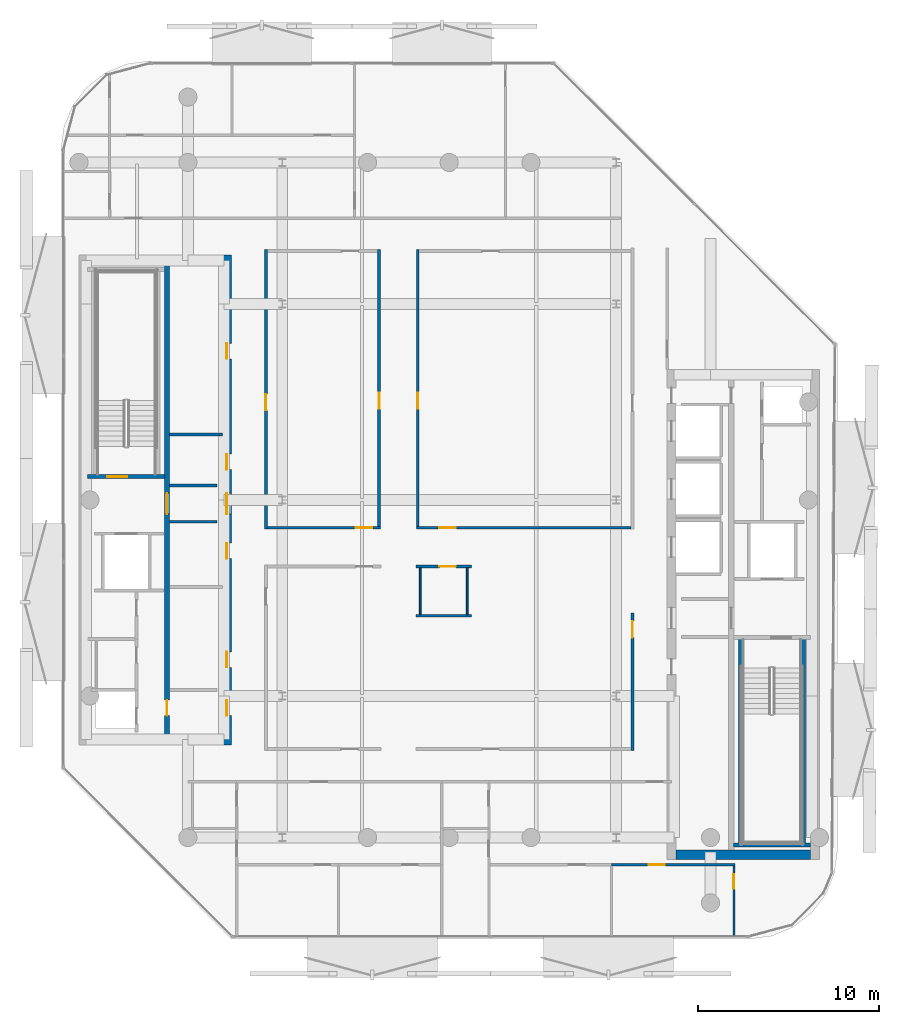
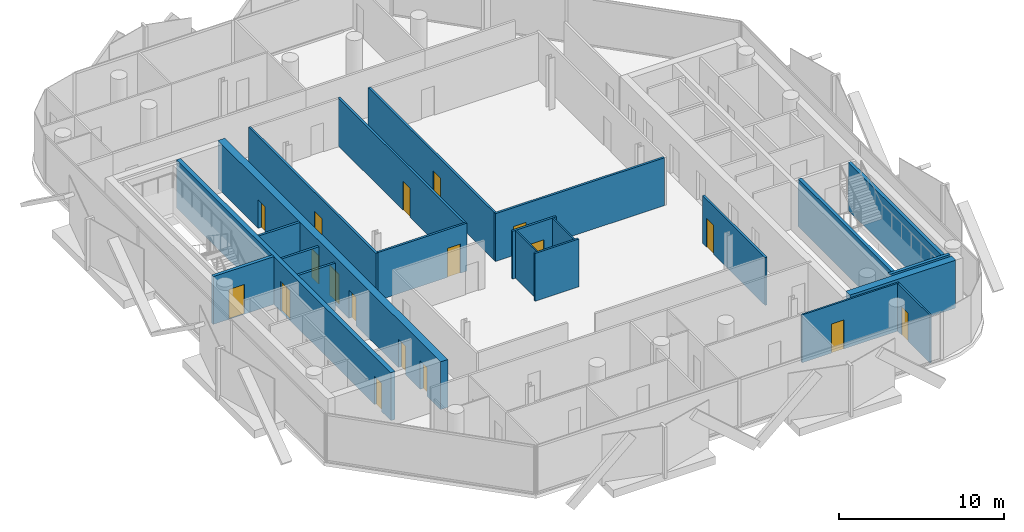
# One storey, part 5 of 16: 22 walls, 18 doors, 18 openings.
"""IFC4 building model written with IfcOpenShell, lengths in metres."""

from ifc_helpers import new_model, si_unit, direction, frame, frame_2d, origin, place, context, subcontext, project, spatial, rectangle, extrude, material, layer, layer_set, type_object, element, fill, save


model = new_model("IFC4")

# Units and contexts
model_context = context("Model", 3, precision=1e-05, world=origin(), true_north=direction((0.0, 1.0)))
body_context = subcontext(model_context, "Body", "Model", "MODEL_VIEW")
ifc_project = project(units=[si_unit("LENGTHUNIT", "METRE"), si_unit("AREAUNIT", "SQUARE_METRE"), si_unit("VOLUMEUNIT", "CUBIC_METRE"), si_unit("PLANEANGLEUNIT", "RADIAN"), si_unit("MASSUNIT", "GRAM", prefix="KILO")], contexts=[model_context])

# Site, building, storey
site_placement = place(None, origin())
site = spatial("IfcSite", under=ifc_project, at=site_placement, CompositionType="ELEMENT")
building_placement = place(site_placement, origin())
building = spatial("IfcBuilding", under=site, at=building_placement, Name="Khairoan Windgate Tower", CompositionType="ELEMENT")
storey_placement = place(building_placement, frame((0.0, 0.0, 311.800048828125)))
storey = spatial("IfcBuildingStorey", under=building, at=storey_placement, Name="L75", CompositionType="ELEMENT", Elevation=311.800048828125)

# Walls
ifc_material_1 = material(Name="Moisture-Resistant Gypsum Partition", Category="gypsum")
ifc_layer_1 = layer(ifc_material_1, 0.10009765625, Name="Moisture-Resistant Gypsum Partition")
ifc_layer_set_1 = layer_set([ifc_layer_1], Name="Moisture-Resistant Gypsum Partition")
wall_type_1 = type_object("IfcWallType", Name="Bathroom Wet-Area Partition Wall", PredefinedType="PARTITIONING", material=ifc_layer_set_1)
for number, where, z_axis, x_axis, name in (
    (1, (1.0, -3.739990234375, 0.0), (0.0, 0.0, 1.0), (0.0, -1.0, 0.0), "L75 Wet Room Side Wall 065"),
    (2, (-1.590087890625, -6.31005859375, 0.0), (0.0, 0.0, 1.0), (0.0, 1.0, 0.0), "L75 Wet Room Side Wall 066"),
):
    element("IfcWall", number, at=place(storey_placement, frame(where, z_axis=z_axis, x_axis=x_axis)), inside=storey, type_object=wall_type_1, Name=name, PredefinedType="PARTITIONING", context=body_context, shape_type="SweptSolid", body=[
        extrude(rectangle(XDim=2.570068359375, YDim=0.10009765625, at=frame_2d((1.28515625, 0.0))), origin(), (0.0, 0.0, 1.0), 3.5400390625),
    ])
ifc_material_2 = material(Name="Concrete C40/50", Category="concrete")
ifc_layer_2 = layer(ifc_material_2, 0.159912109375, Name="Concrete C40/50")
ifc_layer_set_2 = layer_set([ifc_layer_2], Name="Concrete C40/50")
wall_type_2 = type_object("IfcWallType", Name="Core and Hoistway Enclosure Wall", PredefinedType="STANDARD", material=ifc_layer_set_2)
for number, where, z_axis, x_axis, name in (
    (3, (-15.39990234375, 0.800048828125, 0.0), (0.0, 0.0, 1.0), (1.0, 0.0, 0.0), "L75 Core Shaft Wall SW-WV1-L75"),
    (4, (-15.39990234375, -1.199951171875, 0.0), (0.0, 0.0, 1.0), (1.0, 0.0, 0.0), "L75 Core Shaft Wall SW-WV2-L75"),
):
    element("IfcWall", number, at=place(storey_placement, frame(where, z_axis=z_axis, x_axis=x_axis)), inside=storey, type_object=wall_type_2, Name=name, PredefinedType="STANDARD", context=body_context, shape_type="SweptSolid", body=[
        extrude(rectangle(XDim=2.599853515625, YDim=0.159912109375, at=frame_2d((1.2998046875, 0.0))), origin(), (0.0, 0.0, 1.0), 3.5400390625),
    ])
ifc_material_3 = material(Name="Acoustic Fire-Rated Gypsum Partition", Category="gypsum")
ifc_layer_3 = layer(ifc_material_3, 0.139892578125, Name="Acoustic Fire-Rated Gypsum Partition")
ifc_layer_set_3 = layer_set([ifc_layer_3], Name="Acoustic Fire-Rated Gypsum Partition")
wall_type_3 = type_object("IfcWallType", Name="Inter-Tenancy Compartment Wall", PredefinedType="PARTITIONING", material=ifc_layer_set_3)
wall_1_placement = place(storey_placement, frame((-1.830078125, -6.3798828125, 0.0), z_axis=(0.0, 0.0, 1.0), x_axis=(1.0, 0.0, 0.0)))
element("IfcWall", 5, at=wall_1_placement, inside=storey, type_object=wall_type_3, Name="L75 Interior Partition 062", PredefinedType="PARTITIONING", context=body_context, shape_type="SweptSolid", body=[
    extrude(rectangle(XDim=3.070068359375, YDim=0.139892578125, at=frame_2d((1.53515625, 0.0))), origin(), (0.0, 0.0, 1.0), 3.5400390625),
])

# Wall, opening, door
ifc_material_4 = material(Name="Gypsum Stud Partition", Category="gypsum")
ifc_layer_4 = layer(ifc_material_4, 0.1201171875, Name="Gypsum Stud Partition")
ifc_layer_set_4 = layer_set([ifc_layer_4], Name="Gypsum Stud Partition")
wall_type_4 = type_object("IfcWallType", Name="Internal Room Partition Wall", PredefinedType="PARTITIONING", material=ifc_layer_set_4)
wall_2_placement = place(storey_placement, frame((8.93994140625, -20.10009765625, 0.0), z_axis=(0.0, 0.0, 1.0), x_axis=(1.0, 0.0, 0.0)))
wall_2 = element("IfcWall", 6, at=wall_2_placement, inside=storey, type_object=wall_type_4, Name="L75 Interior Partition 059", PredefinedType="PARTITIONING", context=body_context, shape_type="SweptSolid", body=[
    extrude(rectangle(XDim=6.81005859375, YDim=0.1201171875, at=frame_2d((3.405029296875, 0.0))), origin(), (0.0, 0.0, 1.0), 3.5400390625),
])
opening_1_placement = place(wall_2_placement, frame((2.069580078125, 0.0, 0.0)))
opening_1 = element("IfcOpeningElement", 7, at=opening_1_placement, cuts=wall_2, Name="Opening ID-RM", PredefinedType="OPENING", context=body_context, shape_type="SweptSolid", body=[
    extrude(rectangle(XDim=0.860107421875, YDim=2.14990234375, at=frame_2d((0.43017578125, 1.074951171875))), frame((0.0, 0.070068359375, 0.0), z_axis=(0.0, -1.0, 0.0), x_axis=(1.0, 0.0, 0.0)), (0.0, 0.0, 1.0), 0.14013671875),
])
ifc_material_5 = material(Name="Teak Veneer Timber Leaf", Category="wood")
door_type_1 = type_object("IfcDoorType", Name="Internal Bedroom and Office Door ID-RM 860x2150", OperationType="NOTDEFINED", PredefinedType="DOOR", material=ifc_material_5)
door_1_placement = place(opening_1_placement, origin())
door_1 = element("IfcDoor", 8, at=door_1_placement, inside=storey, type_object=door_type_1, Name="L75 L75-46-L75-49 Door", OperationType="SINGLE_SWING_LEFT", OverallHeight=2.14990234375, OverallWidth=0.860107421875, PredefinedType="DOOR", context=body_context, shape_type="SweptSolid", body=[
    extrude(rectangle(XDim=0.860107421875, YDim=2.14990234375, at=frame_2d((0.43017578125, 1.074951171875))), frame((0.0, 0.02490234375, 0.0), z_axis=(0.0, -1.0, 0.0), x_axis=(1.0, 0.0, 0.0)), (0.0, 0.0, 1.0), 0.050048828125),
])
fill(opening_1, door_1)

wall_3_placement = place(storey_placement, frame((15.68994140625, -24.054931640625, 0.0), z_axis=(0.0, 0.0, 1.0), x_axis=(0.0, 1.0, 0.0)))
wall_3 = element("IfcWall", 9, at=wall_3_placement, inside=storey, type_object=wall_type_4, Name="L75 Interior Partition 060", PredefinedType="PARTITIONING", context=body_context, shape_type="SweptSolid", body=[
    extrude(rectangle(XDim=3.89501953125, YDim=0.1201171875, at=frame_2d((1.947509765625, 0.0))), origin(), (0.0, 0.0, 1.0), 3.5400390625),
])
opening_2_placement = place(wall_3_placement, frame((2.635009765625, 0.0, 0.0)))
opening_2 = element("IfcOpeningElement", 10, at=opening_2_placement, cuts=wall_3, Name="Opening ID-BTH", PredefinedType="OPENING", context=body_context, shape_type="SweptSolid", body=[
    extrude(rectangle(XDim=0.800048828125, YDim=2.10009765625, at=frame_2d((0.39990234375, 1.050048828125))), frame((0.0, 0.070068359375, 0.0), z_axis=(0.0, -1.0, 0.0), x_axis=(1.0, 0.0, 0.0)), (0.0, 0.0, 1.0), 0.14013671875),
])
ifc_material_6 = material(Name="Teak Veneer Timber Leaf", Category="wood")
door_type_2 = type_object("IfcDoorType", Name="Internal Bathroom Door ID-BTH 800x2100", OperationType="NOTDEFINED", PredefinedType="DOOR", material=ifc_material_6)
door_2_placement = place(opening_2_placement, origin())
door_2 = element("IfcDoor", 11, at=door_2_placement, inside=storey, type_object=door_type_2, Name="L75 L75-47-L75-49 Door", OperationType="SINGLE_SWING_LEFT", OverallHeight=2.10009765625, OverallWidth=0.800048828125, PredefinedType="DOOR", context=body_context, shape_type="SweptSolid", body=[
    extrude(rectangle(XDim=0.800048828125, YDim=2.10009765625, at=frame_2d((0.39990234375, 1.050048828125))), frame((0.0, 0.02490234375, 0.0), z_axis=(0.0, -1.0, 0.0), x_axis=(1.0, 0.0, 0.0)), (0.0, 0.0, 1.0), 0.050048828125),
])
fill(opening_2, door_2)

# Wall
ifc_material_7 = material(Name="Concrete C40/50", Category="concrete")
ifc_layer_5 = layer(ifc_material_7, 0.159912109375, Name="Concrete C40/50")
ifc_layer_set_5 = layer_set([ifc_layer_5], Name="Concrete C40/50")
wall_type_5 = type_object("IfcWallType", Name="Plant and Refuge Compartment Wall", PredefinedType="PARTITIONING", material=ifc_layer_set_5)
wall_4_placement = place(storey_placement, frame((-15.39990234375, 3.60009765625, 0.0), z_axis=(0.0, 0.0, 1.0), x_axis=(1.0, 0.0, 0.0)))
element("IfcWall", 12, at=wall_4_placement, inside=storey, type_object=wall_type_5, Name="L75 Interior Partition 006", PredefinedType="PARTITIONING", context=body_context, shape_type="SweptSolid", body=[
    extrude(rectangle(XDim=2.89990234375, YDim=0.159912109375, at=frame_2d((1.449951171875, 0.0))), origin(), (0.0, 0.0, 1.0), 3.5400390625),
])

# Wall, opening, door
ifc_material_8 = material(Name="Acoustic Fire-Rated Gypsum Partition", Category="gypsum")
ifc_layer_6 = layer(ifc_material_8, 0.14990234375, Name="Acoustic Fire-Rated Gypsum Partition")
ifc_layer_set_6 = layer_set([ifc_layer_6], Name="Acoustic Fire-Rated Gypsum Partition")
wall_type_6 = type_object("IfcWallType", Name="Rated Corridor Partition Wall", PredefinedType="PARTITIONING", material=ifc_layer_set_6)
wall_5_placement = place(storey_placement, frame((-10.10009765625, -1.610107421875, 0.0), z_axis=(0.0, 0.0, 1.0), x_axis=(0.0, 1.0, 0.0)))
wall_5 = element("IfcWall", 13, at=wall_5_placement, inside=storey, type_object=wall_type_6, Name="L75 Interior Partition 011", PredefinedType="PARTITIONING", context=body_context, shape_type="SweptSolid", body=[
    extrude(rectangle(XDim=15.405029296875, YDim=0.14990234375, at=frame_2d((7.70263671875, 0.0))), origin(), (0.0, 0.0, 1.0), 3.5400390625),
])
opening_3_placement = place(wall_5_placement, frame((6.542724609375, 0.0, 0.0)))
opening_3 = element("IfcOpeningElement", 14, at=opening_3_placement, cuts=wall_5, Name="Opening FD-ENT", PredefinedType="OPENING", context=body_context, shape_type="SweptSolid", body=[
    extrude(rectangle(XDim=0.89990234375, YDim=2.14990234375, at=frame_2d((0.449951171875, 1.074951171875))), frame((0.0, 0.0849609375, 0.0), z_axis=(0.0, -1.0, 0.0), x_axis=(1.0, 0.0, 0.0)), (0.0, 0.0, 1.0), 0.169921875),
])
ifc_material_9 = material(Name="Timber Fire-Rated Core", Category="wood")
door_type_3 = type_object("IfcDoorType", Name="Unit and Office Fire Entrance Door FD-ENT 900x2150", OperationType="NOTDEFINED", PredefinedType="DOOR", material=ifc_material_9)
door_3_placement = place(opening_3_placement, origin())
door_3 = element("IfcDoor", 15, at=door_3_placement, inside=storey, type_object=door_type_3, Name="L75 L75-26-L75-51 Door", OperationType="SINGLE_SWING_LEFT", OverallHeight=2.14990234375, OverallWidth=0.89990234375, PredefinedType="DOOR", context=body_context, shape_type="SweptSolid", body=[
    extrude(rectangle(XDim=0.89990234375, YDim=2.14990234375, at=frame_2d((0.449951171875, 1.074951171875))), frame((0.0, 0.02490234375, 0.0), z_axis=(0.0, -1.0, 0.0), x_axis=(1.0, 0.0, 0.0)), (0.0, 0.0, 1.0), 0.050048828125),
])
fill(opening_3, door_3)

wall_6_placement = place(storey_placement, frame((10.10009765625, -13.794921875, 0.0), z_axis=(0.0, 0.0, 1.0), x_axis=(0.0, 1.0, 0.0)))
wall_6 = element("IfcWall", 16, at=wall_6_placement, inside=storey, type_object=wall_type_6, Name="L75 Interior Partition 015", PredefinedType="PARTITIONING", context=body_context, shape_type="SweptSolid", body=[
    extrude(rectangle(XDim=7.574951171875, YDim=0.14990234375, at=frame_2d((3.78759765625, 0.0))), origin(), (0.0, 0.0, 1.0), 3.5400390625),
])
opening_4_placement = place(wall_6_placement, frame((6.215087890625, 0.0, 0.0)))
opening_4 = element("IfcOpeningElement", 17, at=opening_4_placement, cuts=wall_6, Name="Opening FD-ENT", PredefinedType="OPENING", context=body_context, shape_type="SweptSolid", body=[
    extrude(rectangle(XDim=0.89990234375, YDim=2.14990234375, at=frame_2d((0.449951171875, 1.074951171875))), frame((0.0, 0.0849609375, 0.0), z_axis=(0.0, -1.0, 0.0), x_axis=(1.0, 0.0, 0.0)), (0.0, 0.0, 1.0), 0.169921875),
])
door_4_placement = place(opening_4_placement, origin())
door_4 = element("IfcDoor", 18, at=door_4_placement, inside=storey, type_object=door_type_3, Name="L75 L75-27-L75-55 Door", OperationType="SINGLE_SWING_LEFT", OverallHeight=2.14990234375, OverallWidth=0.89990234375, PredefinedType="DOOR", context=body_context, shape_type="SweptSolid", body=[
    extrude(rectangle(XDim=0.89990234375, YDim=2.14990234375, at=frame_2d((0.449951171875, 1.074951171875))), frame((0.0, 0.02490234375, 0.0), z_axis=(0.0, -1.0, 0.0), x_axis=(1.0, 0.0, 0.0)), (0.0, 0.0, 1.0), 0.050048828125),
])
fill(opening_4, door_4)

wall_7_placement = place(storey_placement, frame((-10.02490234375, -1.534912109375, 0.0), z_axis=(0.0, 0.0, 1.0), x_axis=(1.0, 0.0, 0.0)))
wall_7 = element("IfcWall", 19, at=wall_7_placement, inside=storey, type_object=wall_type_6, Name="L75 Interior Partition 016", PredefinedType="PARTITIONING", context=body_context, shape_type="SweptSolid", body=[
    extrude(rectangle(XDim=6.23486328125, YDim=0.14990234375, at=frame_2d((3.117431640625, 0.0))), origin(), (0.0, 0.0, 1.0), 3.5400390625),
])
opening_5_placement = place(wall_7_placement, frame((4.875, 0.0, 0.0)))
opening_5 = element("IfcOpeningElement", 20, at=opening_5_placement, cuts=wall_7, Name="Opening FD-ENT", PredefinedType="OPENING", context=body_context, shape_type="SweptSolid", body=[
    extrude(rectangle(XDim=0.89990234375, YDim=2.14990234375, at=frame_2d((0.449951171875, 1.074951171875))), frame((0.0, 0.0849609375, 0.0), z_axis=(0.0, -1.0, 0.0), x_axis=(1.0, 0.0, 0.0)), (0.0, 0.0, 1.0), 0.169921875),
])
door_5_placement = place(opening_5_placement, origin())
door_5 = element("IfcDoor", 21, at=door_5_placement, inside=storey, type_object=door_type_3, Name="L75 L75-28-L75-51 Door", OperationType="SINGLE_SWING_RIGHT", OverallHeight=2.14990234375, OverallWidth=0.89990234375, PredefinedType="DOOR", context=body_context, shape_type="SweptSolid", body=[
    extrude(rectangle(XDim=0.89990234375, YDim=2.14990234375, at=frame_2d((0.449951171875, 1.074951171875))), frame((0.0, 0.02490234375, 0.0), z_axis=(0.0, -1.0, 0.0), x_axis=(1.0, 0.0, 0.0)), (0.0, 0.0, 1.0), 0.050048828125),
])
fill(opening_5, door_5)

wall_8_placement = place(storey_placement, frame((-1.81005859375, -1.534912109375, 0.0), z_axis=(0.0, 0.0, 1.0), x_axis=(1.0, 0.0, 0.0)))
wall_8 = element("IfcWall", 22, at=wall_8_placement, inside=storey, type_object=wall_type_6, Name="L75 Interior Partition 018", PredefinedType="PARTITIONING", context=body_context, shape_type="SweptSolid", body=[
    extrude(rectangle(XDim=11.8349609375, YDim=0.14990234375, at=frame_2d((5.91748046875, 0.0))), origin(), (0.0, 0.0, 1.0), 3.5400390625),
])
opening_6_placement = place(wall_8_placement, frame((1.26123046875, 0.0, 0.0)))
opening_6 = element("IfcOpeningElement", 23, at=opening_6_placement, cuts=wall_8, Name="Opening FD-ENT", PredefinedType="OPENING", context=body_context, shape_type="SweptSolid", body=[
    extrude(rectangle(XDim=0.89990234375, YDim=2.14990234375, at=frame_2d((0.449951171875, 1.074951171875))), frame((0.0, 0.0849609375, 0.0), z_axis=(0.0, -1.0, 0.0), x_axis=(1.0, 0.0, 0.0)), (0.0, 0.0, 1.0), 0.169921875),
])
door_6_placement = place(opening_6_placement, origin())
door_6 = element("IfcDoor", 24, at=door_6_placement, inside=storey, type_object=door_type_3, Name="L75 L75-28-L75-53 Door", OperationType="SINGLE_SWING_RIGHT", OverallHeight=2.14990234375, OverallWidth=0.89990234375, PredefinedType="DOOR", context=body_context, shape_type="SweptSolid", body=[
    extrude(rectangle(XDim=0.89990234375, YDim=2.14990234375, at=frame_2d((0.449951171875, 1.074951171875))), frame((0.0, 0.02490234375, 0.0), z_axis=(0.0, -1.0, 0.0), x_axis=(1.0, 0.0, 0.0)), (0.0, 0.0, 1.0), 0.050048828125),
])
fill(opening_6, door_6)

wall_9_placement = place(storey_placement, frame((-1.830078125, -3.6650390625, 0.0), z_axis=(0.0, 0.0, 1.0), x_axis=(1.0, 0.0, 0.0)))
wall_9 = element("IfcWall", 25, at=wall_9_placement, inside=storey, type_object=wall_type_6, Name="L75 Interior Partition 019", PredefinedType="PARTITIONING", context=body_context, shape_type="SweptSolid", body=[
    extrude(rectangle(XDim=3.070068359375, YDim=0.14990234375, at=frame_2d((1.53515625, 0.0))), origin(), (0.0, 0.0, 1.0), 3.5400390625),
])
opening_7_placement = place(wall_9_placement, frame((1.293212890625, 0.0, 0.0)))
opening_7 = element("IfcOpeningElement", 26, at=opening_7_placement, cuts=wall_9, Name="Opening FD-ENT", PredefinedType="OPENING", context=body_context, shape_type="SweptSolid", body=[
    extrude(rectangle(XDim=0.89990234375, YDim=2.14990234375, at=frame_2d((0.449951171875, 1.074951171875))), frame((0.0, 0.0849609375, 0.0), z_axis=(0.0, -1.0, 0.0), x_axis=(1.0, 0.0, 0.0)), (0.0, 0.0, 1.0), 0.169921875),
])
door_7_placement = place(opening_7_placement, origin())
door_7 = element("IfcDoor", 27, at=door_7_placement, inside=storey, type_object=door_type_3, Name="L75 L75-28-L75-54 Door", OperationType="SINGLE_SWING_LEFT", OverallHeight=2.14990234375, OverallWidth=0.89990234375, PredefinedType="DOOR", context=body_context, shape_type="SweptSolid", body=[
    extrude(rectangle(XDim=0.89990234375, YDim=2.14990234375, at=frame_2d((0.449951171875, 1.074951171875))), frame((0.0, 0.02490234375, 0.0), z_axis=(0.0, -1.0, 0.0), x_axis=(1.0, 0.0, 0.0)), (0.0, 0.0, 1.0), 0.050048828125),
])
fill(opening_7, door_7)

wall_10_placement = place(storey_placement, frame((-3.864990234375, -1.4599609375, 0.0), z_axis=(0.0, 0.0, 1.0), x_axis=(0.0, 1.0, 0.0)))
wall_10 = element("IfcWall", 28, at=wall_10_placement, inside=storey, type_object=wall_type_6, Name="L75 Interior Partition 020", PredefinedType="PARTITIONING", context=body_context, shape_type="SweptSolid", body=[
    extrude(rectangle(XDim=15.2548828125, YDim=0.14990234375, at=frame_2d((7.62744140625, 0.0))), origin(), (0.0, 0.0, 1.0), 3.5400390625),
])
opening_8_placement = place(wall_10_placement, frame((6.4755859375, 0.0, 0.0)))
opening_8 = element("IfcOpeningElement", 29, at=opening_8_placement, cuts=wall_10, Name="Opening FD-ENT", PredefinedType="OPENING", context=body_context, shape_type="SweptSolid", body=[
    extrude(rectangle(XDim=0.89990234375, YDim=2.14990234375, at=frame_2d((0.449951171875, 1.074951171875))), frame((0.0, 0.0849609375, 0.0), z_axis=(0.0, -1.0, 0.0), x_axis=(1.0, 0.0, 0.0)), (0.0, 0.0, 1.0), 0.169921875),
])
door_8_placement = place(opening_8_placement, origin())
door_8 = element("IfcDoor", 30, at=door_8_placement, inside=storey, type_object=door_type_3, Name="L75 L75-29-L75-51 Door", OperationType="SINGLE_SWING_RIGHT", OverallHeight=2.14990234375, OverallWidth=0.89990234375, PredefinedType="DOOR", context=body_context, shape_type="SweptSolid", body=[
    extrude(rectangle(XDim=0.89990234375, YDim=2.14990234375, at=frame_2d((0.449951171875, 1.074951171875))), frame((0.0, 0.02490234375, 0.0), z_axis=(0.0, -1.0, 0.0), x_axis=(1.0, 0.0, 0.0)), (0.0, 0.0, 1.0), 0.050048828125),
])
fill(opening_8, door_8)

wall_11_placement = place(storey_placement, frame((-1.735107421875, -1.4599609375, 0.0), z_axis=(0.0, 0.0, 1.0), x_axis=(0.0, 1.0, 0.0)))
wall_11 = element("IfcWall", 31, at=wall_11_placement, inside=storey, type_object=wall_type_6, Name="L75 Interior Partition 021", PredefinedType="PARTITIONING", context=body_context, shape_type="SweptSolid", body=[
    extrude(rectangle(XDim=15.2548828125, YDim=0.14990234375, at=frame_2d((7.62744140625, 0.0))), origin(), (0.0, 0.0, 1.0), 3.5400390625),
])
opening_9_placement = place(wall_11_placement, frame((6.4755859375, 0.0, 0.0)))
opening_9 = element("IfcOpeningElement", 32, at=opening_9_placement, cuts=wall_11, Name="Opening FD-ENT", PredefinedType="OPENING", context=body_context, shape_type="SweptSolid", body=[
    extrude(rectangle(XDim=0.89990234375, YDim=2.14990234375, at=frame_2d((0.449951171875, 1.074951171875))), frame((0.0, 0.0849609375, 0.0), z_axis=(0.0, -1.0, 0.0), x_axis=(1.0, 0.0, 0.0)), (0.0, 0.0, 1.0), 0.169921875),
])
door_9_placement = place(opening_9_placement, origin())
door_9 = element("IfcDoor", 33, at=door_9_placement, inside=storey, type_object=door_type_3, Name="L75 L75-29-L75-53 Door", OperationType="SINGLE_SWING_LEFT", OverallHeight=2.14990234375, OverallWidth=0.89990234375, PredefinedType="DOOR", context=body_context, shape_type="SweptSolid", body=[
    extrude(rectangle(XDim=0.89990234375, YDim=2.14990234375, at=frame_2d((0.449951171875, 1.074951171875))), frame((0.0, 0.02490234375, 0.0), z_axis=(0.0, -1.0, 0.0), x_axis=(1.0, 0.0, 0.0)), (0.0, 0.0, 1.0), 0.050048828125),
])
fill(opening_9, door_9)

# Wall
ifc_material_10 = material(Name="Concrete C50/60", Category="concrete")
ifc_layer_7 = layer(ifc_material_10, 0.5, Name="Concrete C50/60")
ifc_layer_set_7 = layer_set([ifc_layer_7], Name="Concrete C50/60")
wall_type_7 = type_object("IfcWallType", Name="Shear Wall CW-E3 500mm", PredefinedType="SHEAR", material=ifc_layer_set_7)
wall_12_placement = place(storey_placement, frame((12.5, -19.550048828125, 0.0), z_axis=(0.0, 0.0, 1.0), x_axis=(1.0, 0.0, 0.0)))
element("IfcWall", 34, at=wall_12_placement, inside=storey, type_object=wall_type_7, Name="E Core South Shear Wall L75", PredefinedType="SHEAR", context=body_context, shape_type="SweptSolid", body=[
    extrude(rectangle(XDim=7.39990234375, YDim=0.5, at=frame_2d((3.699951171875, 0.0))), origin(), (0.0, 0.0, 1.0), 3.5400390625),
])

# Wall, openings, doors
ifc_material_11 = material(Name="Concrete C50/60", Category="concrete")
ifc_layer_8 = layer(ifc_material_11, 0.5, Name="Concrete C50/60")
ifc_layer_set_8 = layer_set([ifc_layer_8], Name="Concrete C50/60")
wall_type_8 = type_object("IfcWallType", Name="Shear Wall CW-W3 500mm", PredefinedType="SHEAR", material=ifc_layer_set_8)
wall_13_placement = place(storey_placement, frame((-12.25, -13.5, 0.0), z_axis=(0.0, 0.0, 1.0), x_axis=(0.0, 1.0, 0.0)))
wall_13 = element("IfcWall", 35, at=wall_13_placement, inside=storey, type_object=wall_type_8, Name="W Core East Shear Wall L75", PredefinedType="SHEAR", context=body_context, shape_type="SweptSolid", body=[
    extrude(rectangle(XDim=27.0, YDim=0.5, at=frame_2d((13.5, 0.0))), origin(), (0.0, 0.0, 1.0), 3.5400390625),
])
opening_10_placement = place(wall_13_placement, frame((15.175048828125, 0.0, 0.0)))
opening_10 = element("IfcOpeningElement", 36, at=opening_10_placement, cuts=wall_13, Name="Opening FD-SRV", PredefinedType="OPENING", context=body_context, shape_type="SweptSolid", body=[
    extrude(rectangle(XDim=0.85009765625, YDim=2.10009765625, at=frame_2d((0.425048828125, 1.050048828125))), frame((0.0, 0.260009765625, 0.0), z_axis=(0.0, -1.0, 0.0), x_axis=(1.0, 0.0, 0.0)), (0.0, 0.0, 1.0), 0.52001953125),
])
opening_11_placement = place(wall_13_placement, frame((21.27490234375, 0.0, 0.0)))
opening_11 = element("IfcOpeningElement", 37, at=opening_11_placement, cuts=wall_13, Name="Opening FD-SRV", PredefinedType="OPENING", context=body_context, shape_type="SweptSolid", body=[
    extrude(rectangle(XDim=0.85009765625, YDim=2.10009765625, at=frame_2d((0.425048828125, 1.050048828125))), frame((0.0, 0.260009765625, 0.0), z_axis=(0.0, -1.0, 0.0), x_axis=(1.0, 0.0, 0.0)), (0.0, 0.0, 1.0), 0.52001953125),
])
opening_12_placement = place(wall_13_placement, frame((4.27490234375, 0.0, 0.0)))
opening_12 = element("IfcOpeningElement", 38, at=opening_12_placement, cuts=wall_13, Name="Opening FD-SRV", PredefinedType="OPENING", context=body_context, shape_type="SweptSolid", body=[
    extrude(rectangle(XDim=0.85009765625, YDim=2.10009765625, at=frame_2d((0.425048828125, 1.050048828125))), frame((0.0, 0.260009765625, 0.0), z_axis=(0.0, -1.0, 0.0), x_axis=(1.0, 0.0, 0.0)), (0.0, 0.0, 1.0), 0.52001953125),
])
opening_13_placement = place(wall_13_placement, frame((10.27490234375, 0.0, 0.0)))
opening_13 = element("IfcOpeningElement", 39, at=opening_13_placement, cuts=wall_13, Name="Opening FD-SRV", PredefinedType="OPENING", context=body_context, shape_type="SweptSolid", body=[
    extrude(rectangle(XDim=0.85009765625, YDim=2.10009765625, at=frame_2d((0.425048828125, 1.050048828125))), frame((0.0, 0.260009765625, 0.0), z_axis=(0.0, -1.0, 0.0), x_axis=(1.0, 0.0, 0.0)), (0.0, 0.0, 1.0), 0.52001953125),
])
opening_14_placement = place(wall_13_placement, frame((12.72509765625, 0.0, 0.0)))
opening_14 = element("IfcOpeningElement", 40, at=opening_14_placement, cuts=wall_13, Name="Opening FD-FFL", PredefinedType="OPENING", context=body_context, shape_type="SweptSolid", body=[
    extrude(rectangle(XDim=1.14990234375, YDim=2.199951171875, at=frame_2d((0.574951171875, 1.10009765625))), frame((0.0, 0.260009765625, 0.0), z_axis=(0.0, -1.0, 0.0), x_axis=(1.0, 0.0, 0.0)), (0.0, 0.0, 1.0), 0.52001953125),
])
opening_15_placement = place(wall_13_placement, frame((1.625, 0.0, 0.0)))
opening_15 = element("IfcOpeningElement", 41, at=opening_15_placement, cuts=wall_13, Name="Opening FD-SRV", PredefinedType="OPENING", context=body_context, shape_type="SweptSolid", body=[
    extrude(rectangle(XDim=0.85009765625, YDim=2.10009765625, at=frame_2d((0.425048828125, 1.050048828125))), frame((0.0, 0.260009765625, 0.0), z_axis=(0.0, -1.0, 0.0), x_axis=(1.0, 0.0, 0.0)), (0.0, 0.0, 1.0), 0.52001953125),
])
ifc_material_12 = material(Name="Steel S355", Category="steel")
door_type_4 = type_object("IfcDoorType", Name="Core Service and Riser Fire Door FD-SRV 850x2100", OperationType="NOTDEFINED", PredefinedType="DOOR", material=ifc_material_12)
door_10_placement = place(opening_10_placement, origin())
door_10 = element("IfcDoor", 42, at=door_10_placement, inside=storey, type_object=door_type_4, Name="L75 Upper Core Room Door B1-1", OperationType="SINGLE_SWING_LEFT", OverallHeight=2.10009765625, OverallWidth=0.85009765625, PredefinedType="DOOR", context=body_context, shape_type="SweptSolid", body=[
    extrude(rectangle(XDim=0.85009765625, YDim=2.10009765625, at=frame_2d((0.425048828125, 1.050048828125))), frame((0.0, 0.02490234375, 0.0), z_axis=(0.0, -1.0, 0.0), x_axis=(1.0, 0.0, 0.0)), (0.0, 0.0, 1.0), 0.050048828125),
])
fill(opening_10, door_10)
door_11_placement = place(opening_11_placement, origin())
door_11 = element("IfcDoor", 43, at=door_11_placement, inside=storey, type_object=door_type_4, Name="L75 Upper Core Room Door B1-2", OperationType="SINGLE_SWING_RIGHT", OverallHeight=2.10009765625, OverallWidth=0.85009765625, PredefinedType="DOOR", context=body_context, shape_type="SweptSolid", body=[
    extrude(rectangle(XDim=0.85009765625, YDim=2.10009765625, at=frame_2d((0.425048828125, 1.050048828125))), frame((0.0, 0.02490234375, 0.0), z_axis=(0.0, -1.0, 0.0), x_axis=(1.0, 0.0, 0.0)), (0.0, 0.0, 1.0), 0.050048828125),
])
fill(opening_11, door_11)
door_12_placement = place(opening_12_placement, origin())
door_12 = element("IfcDoor", 44, at=door_12_placement, inside=storey, type_object=door_type_4, Name="L75 Upper Core Room Door B2-1", OperationType="SINGLE_SWING_LEFT", OverallHeight=2.10009765625, OverallWidth=0.85009765625, PredefinedType="DOOR", context=body_context, shape_type="SweptSolid", body=[
    extrude(rectangle(XDim=0.85009765625, YDim=2.10009765625, at=frame_2d((0.425048828125, 1.050048828125))), frame((0.0, 0.02490234375, 0.0), z_axis=(0.0, -1.0, 0.0), x_axis=(1.0, 0.0, 0.0)), (0.0, 0.0, 1.0), 0.050048828125),
])
fill(opening_12, door_12)
door_13_placement = place(opening_13_placement, origin())
door_13 = element("IfcDoor", 45, at=door_13_placement, inside=storey, type_object=door_type_4, Name="L75 Upper Core Room Door B2-2", OperationType="SINGLE_SWING_RIGHT", OverallHeight=2.10009765625, OverallWidth=0.85009765625, PredefinedType="DOOR", context=body_context, shape_type="SweptSolid", body=[
    extrude(rectangle(XDim=0.85009765625, YDim=2.10009765625, at=frame_2d((0.425048828125, 1.050048828125))), frame((0.0, 0.02490234375, 0.0), z_axis=(0.0, -1.0, 0.0), x_axis=(1.0, 0.0, 0.0)), (0.0, 0.0, 1.0), 0.050048828125),
])
fill(opening_13, door_13)
door_14_placement = place(opening_15_placement, origin())
door_14 = element("IfcDoor", 46, at=door_14_placement, inside=storey, type_object=door_type_4, Name="L75 West Core Service Vestibule Outer Door", OperationType="SINGLE_SWING_RIGHT", OverallHeight=2.10009765625, OverallWidth=0.85009765625, PredefinedType="DOOR", context=body_context, shape_type="SweptSolid", body=[
    extrude(rectangle(XDim=0.85009765625, YDim=2.10009765625, at=frame_2d((0.425048828125, 1.050048828125))), frame((0.0, 0.02490234375, 0.0), z_axis=(0.0, -1.0, 0.0), x_axis=(1.0, 0.0, 0.0)), (0.0, 0.0, 1.0), 0.050048828125),
])
fill(opening_15, door_14)
ifc_material_13 = material(Name="Steel S355", Category="steel")
door_type_5 = type_object("IfcDoorType", Name="Firefighting Lobby Fire Door FD-FFL 1150x2200", OperationType="NOTDEFINED", PredefinedType="DOOR", material=ifc_material_13)
door_15_placement = place(opening_14_placement, origin())
door_15 = element("IfcDoor", 47, at=door_15_placement, inside=storey, type_object=door_type_5, Name="L75 West Core Vestibule Entry Door", OperationType="SINGLE_SWING_RIGHT", OverallHeight=2.199951171875, OverallWidth=1.14990234375, PredefinedType="DOOR", context=body_context, shape_type="SweptSolid", body=[
    extrude(rectangle(XDim=1.14990234375, YDim=2.199951171875, at=frame_2d((0.574951171875, 1.10009765625))), frame((0.0, 0.02490234375, 0.0), z_axis=(0.0, -1.0, 0.0), x_axis=(1.0, 0.0, 0.0)), (0.0, 0.0, 1.0), 0.050048828125),
])
fill(opening_14, door_15)

ifc_material_14 = material(Name="Concrete C50/60", Category="concrete")
ifc_layer_9 = layer(ifc_material_14, 0.300048828125, Name="Concrete C50/60")
ifc_layer_set_9 = layer_set([ifc_layer_9], Name="Concrete C50/60")
wall_type_9 = type_object("IfcWallType", Name="Shear Wall SW-2 300mm", PredefinedType="SHEAR", material=ifc_layer_set_9)
wall_14_placement = place(storey_placement, frame((-15.550048828125, -13.0, 0.0), z_axis=(0.0, 0.0, 1.0), x_axis=(0.0, 1.0, 0.0)))
wall_14 = element("IfcWall", 48, at=wall_14_placement, inside=storey, type_object=wall_type_9, Name="W Core Spine Shear Wall L75", PredefinedType="SHEAR", context=body_context, shape_type="SweptSolid", body=[
    extrude(rectangle(XDim=26.0, YDim=0.300048828125, at=frame_2d((13.0, 0.0))), origin(), (0.0, 0.0, 1.0), 3.5400390625),
])
opening_16_placement = place(wall_14_placement, frame((12.22509765625, 0.0, 0.0)))
opening_16 = element("IfcOpeningElement", 49, at=opening_16_placement, cuts=wall_14, Name="Opening FD-FFL", PredefinedType="OPENING", context=body_context, shape_type="SweptSolid", body=[
    extrude(rectangle(XDim=1.14990234375, YDim=2.199951171875, at=frame_2d((0.574951171875, 1.10009765625))), frame((0.0, 0.159912109375, 0.0), z_axis=(0.0, -1.0, 0.0), x_axis=(1.0, 0.0, 0.0)), (0.0, 0.0, 1.0), 0.320068359375),
])
opening_17_placement = place(wall_14_placement, frame((1.125, 0.0, 0.0)))
opening_17 = element("IfcOpeningElement", 50, at=opening_17_placement, cuts=wall_14, Name="Opening FD-SRV", PredefinedType="OPENING", context=body_context, shape_type="SweptSolid", body=[
    extrude(rectangle(XDim=0.85009765625, YDim=2.10009765625, at=frame_2d((0.425048828125, 1.050048828125))), frame((0.0, 0.159912109375, 0.0), z_axis=(0.0, -1.0, 0.0), x_axis=(1.0, 0.0, 0.0)), (0.0, 0.0, 1.0), 0.320068359375),
])
door_16_placement = place(opening_17_placement, origin())
door_16 = element("IfcDoor", 51, at=door_16_placement, inside=storey, type_object=door_type_4, Name="L75 West Core Service Passage Inner Door", OperationType="SINGLE_SWING_LEFT", OverallHeight=2.10009765625, OverallWidth=0.85009765625, PredefinedType="DOOR", context=body_context, shape_type="SweptSolid", body=[
    extrude(rectangle(XDim=0.85009765625, YDim=2.10009765625, at=frame_2d((0.425048828125, 1.050048828125))), frame((0.0, 0.02490234375, 0.0), z_axis=(0.0, -1.0, 0.0), x_axis=(1.0, 0.0, 0.0)), (0.0, 0.0, 1.0), 0.050048828125),
])
fill(opening_17, door_16)
door_17_placement = place(opening_16_placement, origin())
door_17 = element("IfcDoor", 52, at=door_17_placement, inside=storey, type_object=door_type_5, Name="L75 West Firefighting Lobby Fire Door", OperationType="SINGLE_SWING_LEFT", OverallHeight=2.199951171875, OverallWidth=1.14990234375, PredefinedType="DOOR", context=body_context, shape_type="SweptSolid", body=[
    extrude(rectangle(XDim=1.14990234375, YDim=2.199951171875, at=frame_2d((0.574951171875, 1.10009765625))), frame((0.0, 0.02490234375, 0.0), z_axis=(0.0, -1.0, 0.0), x_axis=(1.0, 0.0, 0.0)), (0.0, 0.0, 1.0), 0.050048828125),
])
fill(opening_16, door_17)

# Walls
ifc_material_15 = material(Name="Concrete C50/60", Category="concrete")
ifc_layer_10 = layer(ifc_material_15, 0.219970703125, Name="Concrete C50/60")
ifc_layer_set_10 = layer_set([ifc_layer_10], Name="Concrete C50/60")
wall_type_10 = type_object("IfcWallType", Name="Shear Wall SW-ST 220mm", PredefinedType="SHEAR", material=ifc_layer_set_10)
for number, where, z_axis, x_axis, name in (
    (53, (16.0400390625, -19.010009765625, 0.0), (0.0, 0.0, 1.0), (0.0, 1.0, 0.0), "L75 Stair ST1 West Bearing Wall"),
    (54, (19.530029296875, -19.010009765625, 0.0), (0.0, 0.0, 1.0), (0.0, 1.0, 0.0), "L75 Stair ST1 East Bearing Wall"),
):
    element("IfcWall", number, at=place(storey_placement, frame(where, z_axis=z_axis, x_axis=x_axis)), inside=storey, type_object=wall_type_10, Name=name, PredefinedType="SHEAR", context=body_context, shape_type="SweptSolid", body=[
        extrude(rectangle(XDim=11.419921875, YDim=0.219970703125, at=frame_2d((5.7099609375, 0.0))), origin(), (0.0, 0.0, 1.0), 3.5400390625),
    ])
wall_15_placement = place(storey_placement, frame((15.679931640625, -19.010009765625, 0.0), z_axis=(0.0, 0.0, 1.0), x_axis=(1.0, 0.0, 0.0)))
element("IfcWall", 55, at=wall_15_placement, inside=storey, type_object=wall_type_10, Name="L75 Stair ST1 South Bearing Wall", PredefinedType="SHEAR", context=body_context, shape_type="SweptSolid", body=[
    extrude(rectangle(XDim=4.239990234375, YDim=0.219970703125, at=frame_2d((2.1201171875, 0.0))), origin(), (0.0, 0.0, 1.0), 3.5400390625),
])

# Wall, opening, door
wall_16_placement = place(storey_placement, frame((-19.919921875, 1.2900390625, 0.0), z_axis=(0.0, 0.0, 1.0), x_axis=(1.0, 0.0, 0.0)))
wall_16 = element("IfcWall", 56, at=wall_16_placement, inside=storey, type_object=wall_type_10, Name="L75 Stair ST2 South Bearing Wall", PredefinedType="SHEAR", context=body_context, shape_type="SweptSolid", body=[
    extrude(rectangle(XDim=4.239990234375, YDim=0.219970703125, at=frame_2d((2.1201171875, 0.0))), origin(), (0.0, 0.0, 1.0), 3.5400390625),
])
opening_18_placement = place(wall_16_placement, frame((1.080078125, 0.0, 0.0)))
opening_18 = element("IfcOpeningElement", 57, at=opening_18_placement, cuts=wall_16, Name="Opening FD-ST", PredefinedType="OPENING", context=body_context, shape_type="SweptSolid", body=[
    extrude(rectangle(XDim=1.10009765625, YDim=2.199951171875, at=frame_2d((0.550048828125, 1.10009765625))), frame((0.0, 0.119873046875, 0.0), z_axis=(0.0, -1.0, 0.0), x_axis=(1.0, 0.0, 0.0)), (0.0, 0.0, 1.0), 0.239990234375),
])
ifc_material_16 = material(Name="Steel S355", Category="steel")
door_type_6 = type_object("IfcDoorType", Name="Smokeproof Stair Fire Door FD-ST 1100x2200", OperationType="NOTDEFINED", PredefinedType="DOOR", material=ifc_material_16)
door_18_placement = place(opening_18_placement, origin())
door_18 = element("IfcDoor", 58, at=door_18_placement, inside=storey, type_object=door_type_6, Name="L75 Stair ST2 Fire Door", OperationType="SINGLE_SWING_RIGHT", OverallHeight=2.199951171875, OverallWidth=1.10009765625, PredefinedType="DOOR", context=body_context, shape_type="SweptSolid", body=[
    extrude(rectangle(XDim=1.10009765625, YDim=2.199951171875, at=frame_2d((0.550048828125, 1.10009765625))), frame((0.0, 0.02490234375, 0.0), z_axis=(0.0, -1.0, 0.0), x_axis=(1.0, 0.0, 0.0)), (0.0, 0.0, 1.0), 0.050048828125),
])
fill(opening_18, door_18)

save(model, "model.ifc")
